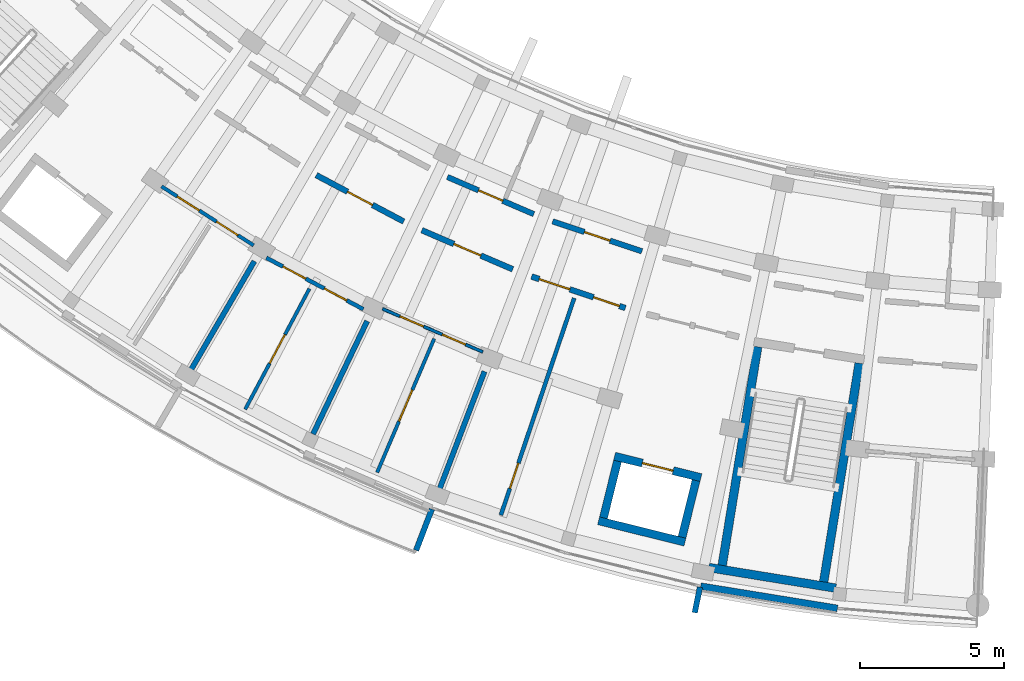
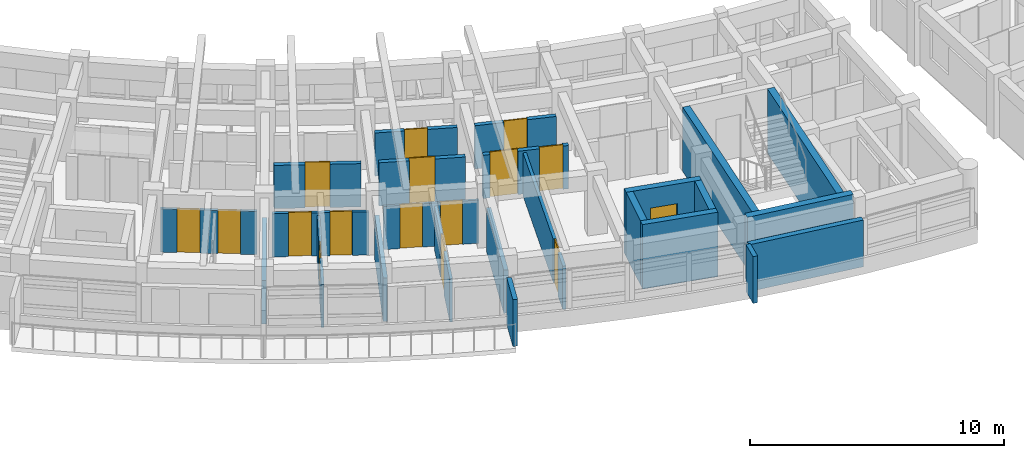
# One storey, part 34 of 55: 24 walls, 16 doors, 16 openings.
"""IFC4 building model written with IfcOpenShell, lengths in metres."""

from ifc_helpers import new_model, si_unit, direction, frame, frame_2d, origin, place, context, subcontext, project, spatial, rectangle, extrude, material, layer, layer_set, type_object, element, fill, save


model = new_model("IFC4")

# Units and contexts
model_context = context("Model", 3, precision=1e-05, world=origin(), true_north=direction((0.0, 1.0)))
body_context = subcontext(model_context, "Body", "Model", "MODEL_VIEW")
ifc_project = project(units=[si_unit("LENGTHUNIT", "METRE"), si_unit("AREAUNIT", "SQUARE_METRE"), si_unit("VOLUMEUNIT", "CUBIC_METRE"), si_unit("PLANEANGLEUNIT", "RADIAN"), si_unit("MASSUNIT", "GRAM", prefix="KILO")], contexts=[model_context])

# Site, building, storey
site_placement = place(None, origin())
site = spatial("IfcSite", under=ifc_project, at=site_placement, CompositionType="ELEMENT")
building_placement = place(site_placement, origin())
building = spatial("IfcBuilding", under=site, at=building_placement, Name="Zimvara Arc Housing Community", CompositionType="ELEMENT")
storey_placement = place(building_placement, frame((0.0, 0.0, 14.300048828125)))
storey = spatial("IfcBuildingStorey", under=building, at=storey_placement, Name="L04", CompositionType="ELEMENT", Elevation=14.300048828125)

# Walls
ifc_material_1 = material(Name="Board-Marked Fair-Faced Concrete C35/45", Category="concrete")
ifc_layer_1 = layer(ifc_material_1, 0.195068359375)
ifc_layer_set_1 = layer_set([ifc_layer_1], Name="Board-Marked Fair-Faced Concrete C35/45")
wall_type_1 = type_object("IfcWallType", Name="EWL-PARA-195", PredefinedType="PARAPET", material=ifc_layer_set_1)
wall_1_placement = place(storey_placement, frame((104.76318359375, 54.35693359375, 0.0), z_axis=(0.0, 0.0, 1.0), x_axis=(-0.356957296461, -0.934120703391, 0.0)))
element("IfcWall", 1, at=wall_1_placement, inside=storey, type_object=wall_type_1, Name="finwall:blkC:L04:out:b6", PredefinedType="PARAPET", context=body_context, shape_type="SweptSolid", body=[
    extrude(rectangle(XDim=1.530029296875, YDim=0.195068359375, at=frame_2d((0.76513671875, 0.0))), origin(), (0.0, 0.0, 1.0), 2.25),
])
wall_2_placement = place(storey_placement, frame((114.072509765625, 51.645263671875, 0.0), z_axis=(0.0, 0.0, 1.0), x_axis=(-0.200236425943, -0.979747607155, 0.0)))
element("IfcWall", 2, at=wall_2_placement, inside=storey, type_object=wall_type_1, Name="finwall:blkC:L04:out:b8", PredefinedType="PARAPET", context=body_context, shape_type="SweptSolid", body=[
    extrude(rectangle(XDim=0.89990234375, YDim=0.195068359375, at=frame_2d((0.449951171875, 0.0))), origin(), (0.0, 0.0, 1.0), 2.25),
])
ifc_material_2 = material(Name="Board-Marked Fair-Faced Concrete C35/45", Category="concrete")
ifc_layer_2 = layer(ifc_material_2, 0.238037109375)
ifc_layer_set_2 = layer_set([ifc_layer_2], Name="Board-Marked Fair-Faced Concrete C35/45")
wall_type_2 = type_object("IfcWallType", Name="EWL-VAR-15", PredefinedType="SOLIDWALL", material=ifc_layer_set_2)
wall_3_placement = place(storey_placement, frame((114.100341796875, 51.681396484375, 0.0), z_axis=(0.0, 0.0, 1.0), x_axis=(0.987080750493, -0.160223568819, 0.0)))
element("IfcWall", 3, at=wall_3_placement, inside=storey, type_object=wall_type_2, Name="ewall:blkC:L04:out:b8", PredefinedType="SOLIDWALL", context=body_context, shape_type="SweptSolid", body=[
    extrude(rectangle(XDim=4.808837890625, YDim=0.238037109375, at=frame_2d((2.404296875, 0.0))), origin(), (0.0, 0.0, 1.0), 2.25),
])

# Wall, opening, door
ifc_material_3 = material(Name="Concrete C35/45", Category="concrete")
ifc_layer_3 = layer(ifc_material_3, 0.18994140625)
ifc_layer_set_3 = layer_set([ifc_layer_3], Name="Concrete C35/45")
wall_type_3 = type_object("IfcWallType", Name="IWL-CORR-190", PredefinedType="SOLIDWALL", material=ifc_layer_set_3)
wall_4_placement = place(storey_placement, frame((105.30224609375, 65.892822265625, 0.0), z_axis=(0.0, 0.0, 1.0), x_axis=(0.918723391052, -0.394901672235, 0.0)))
wall_4 = element("IfcWall", 4, at=wall_4_placement, inside=storey, type_object=wall_type_3, Name="iwall:blkC:L04:corr_in:b5", PredefinedType="SOLIDWALL", context=body_context, shape_type="SweptSolid", body=[
    extrude(rectangle(XDim=3.2685546875, YDim=0.18994140625, at=frame_2d((1.63427734375, 0.0))), origin(), (0.0, 0.0, 1.0), 2.079833984375),
])
opening_1_placement = place(wall_4_placement, frame((1.17431640625, 0.0, 0.0)))
opening_1 = element("IfcOpeningElement", 5, at=opening_1_placement, cuts=wall_4, Name="Opening D02", PredefinedType="OPENING", context=body_context, shape_type="SweptSolid", body=[
    extrude(rectangle(XDim=0.919921875, YDim=2.10009765625, at=frame_2d((0.4599609375, 1.050048828125))), frame((0.0, 0.10498046875, 0.0), z_axis=(0.0, -1.0, 0.0), x_axis=(1.0, 0.0, 0.0)), (0.0, 0.0, 1.0), 0.2099609375),
])
ifc_material_4 = material(Name="Mozambican Hardwood", Category="wood")
door_type_1 = type_object("IfcDoorType", Name="IDR-RM-0920x2100", OperationType="NOTDEFINED", PredefinedType="DOOR", material=ifc_material_4)
door_1_placement = place(opening_1_placement, origin())
door_1 = element("IfcDoor", 6, at=door_1_placement, inside=storey, type_object=door_type_1, Name="idoor:blkC:L04:in_rm:b5", OperationType="SINGLE_SWING_RIGHT", OverallHeight=2.10009765625, OverallWidth=0.919921875, PredefinedType="DOOR", context=body_context, shape_type="SweptSolid", body=[
    extrude(rectangle(XDim=0.919921875, YDim=2.10009765625, at=frame_2d((0.4599609375, 1.050048828125))), frame((0.0, 0.02490234375, 0.0), z_axis=(0.0, -1.0, 0.0), x_axis=(1.0, 0.0, 0.0)), (0.0, 0.0, 1.0), 0.050048828125),
])
fill(opening_1, door_1)

wall_5_placement = place(storey_placement, frame((108.95849609375, 64.352294921875, 0.0), z_axis=(0.0, 0.0, 1.0), x_axis=(0.94787351033, -0.318646839643, 0.0)))
wall_5 = element("IfcWall", 7, at=wall_5_placement, inside=storey, type_object=wall_type_3, Name="iwall:blkC:L04:corr_in:b6", PredefinedType="SOLIDWALL", context=body_context, shape_type="SweptSolid", body=[
    extrude(rectangle(XDim=3.2685546875, YDim=0.18994140625, at=frame_2d((1.63427734375, 0.0))), origin(), (0.0, 0.0, 1.0), 2.079833984375),
])
opening_2_placement = place(wall_5_placement, frame((1.164306640625, 0.0, 0.0)))
opening_2 = element("IfcOpeningElement", 8, at=opening_2_placement, cuts=wall_5, Name="Opening D03", PredefinedType="OPENING", context=body_context, shape_type="SweptSolid", body=[
    extrude(rectangle(XDim=0.93994140625, YDim=2.10009765625, at=frame_2d((0.469970703125, 1.050048828125))), frame((0.0, 0.10498046875, 0.0), z_axis=(0.0, -1.0, 0.0), x_axis=(1.0, 0.0, 0.0)), (0.0, 0.0, 1.0), 0.2099609375),
])
ifc_material_5 = material(Name="Mozambican Hardwood", Category="wood")
door_type_2 = type_object("IfcDoorType", Name="IDR-RM-0940x2100", OperationType="NOTDEFINED", PredefinedType="DOOR", material=ifc_material_5)
door_2_placement = place(opening_2_placement, origin())
door_2 = element("IfcDoor", 9, at=door_2_placement, inside=storey, type_object=door_type_2, Name="idoor:blkC:L04:in_rm:b6", OperationType="SINGLE_SWING_LEFT", OverallHeight=2.10009765625, OverallWidth=0.93994140625, PredefinedType="DOOR", context=body_context, shape_type="SweptSolid", body=[
    extrude(rectangle(XDim=0.93994140625, YDim=2.10009765625, at=frame_2d((0.469970703125, 1.050048828125))), frame((0.0, 0.02490234375, 0.0), z_axis=(0.0, -1.0, 0.0), x_axis=(1.0, 0.0, 0.0)), (0.0, 0.0, 1.0), 0.050048828125),
])
fill(opening_2, door_2)

ifc_material_6 = material(Name="Concrete C35/45", Category="concrete")
ifc_layer_4 = layer(ifc_material_6, 0.199951171875)
ifc_layer_set_4 = layer_set([ifc_layer_4], Name="Concrete C35/45")
wall_type_4 = type_object("IfcWallType", Name="IWL-CORR-200", PredefinedType="SOLIDWALL", material=ifc_layer_set_4)
wall_6_placement = place(storey_placement, frame((100.750244140625, 65.9560546875, 0.0), z_axis=(0.0, 0.0, 1.0), x_axis=(0.883440266101, -0.468543803963, 0.0)))
wall_6 = element("IfcWall", 10, at=wall_6_placement, inside=storey, type_object=wall_type_4, Name="iwall:blkC:L04:corr_out:b4", PredefinedType="SOLIDWALL", context=body_context, shape_type="SweptSolid", body=[
    extrude(rectangle(XDim=3.435791015625, YDim=0.199951171875, at=frame_2d((1.7177734375, 0.0))), origin(), (0.0, 0.0, 1.0), 2.079833984375),
])
opening_3_placement = place(wall_6_placement, frame((1.22802734375, 0.0, 0.0)))
opening_3 = element("IfcOpeningElement", 11, at=opening_3_placement, cuts=wall_6, Name="Opening FD-FL1", PredefinedType="OPENING", context=body_context, shape_type="SweptSolid", body=[
    extrude(rectangle(XDim=0.97998046875, YDim=2.14990234375, at=frame_2d((0.489990234375, 1.074951171875))), frame((0.0, 0.10986328125, 0.0), z_axis=(0.0, -1.0, 0.0), x_axis=(1.0, 0.0, 0.0)), (0.0, 0.0, 1.0), 0.219970703125),
])
ifc_material_7 = material(Name="Mozambican Hardwood", Category="wood")
door_type_3 = type_object("IfcDoorType", Name="IDR-FLAT-0980x2150", OperationType="NOTDEFINED", PredefinedType="DOOR", material=ifc_material_7)
door_3_placement = place(opening_3_placement, origin())
door_3 = element("IfcDoor", 12, at=door_3_placement, inside=storey, type_object=door_type_3, Name="idoor:blkC:L04:flat:b4", OperationType="SINGLE_SWING_RIGHT", OverallHeight=2.14990234375, OverallWidth=0.97998046875, PredefinedType="DOOR", context=body_context, shape_type="SweptSolid", body=[
    extrude(rectangle(XDim=0.97998046875, YDim=2.14990234375, at=frame_2d((0.489990234375, 1.074951171875))), frame((0.0, 0.02490234375, 0.0), z_axis=(0.0, -1.0, 0.0), x_axis=(1.0, 0.0, 0.0)), (0.0, 0.0, 1.0), 0.050048828125),
])
fill(opening_3, door_3)

wall_7_placement = place(storey_placement, frame((104.41650390625, 64.0439453125, 0.0), z_axis=(0.0, 0.0, 1.0), x_axis=(0.918718172399, -0.394913813008, 0.0)))
wall_7 = element("IfcWall", 13, at=wall_7_placement, inside=storey, type_object=wall_type_4, Name="iwall:blkC:L04:corr_out:b5", PredefinedType="SOLIDWALL", context=body_context, shape_type="SweptSolid", body=[
    extrude(rectangle(XDim=3.43603515625, YDim=0.199951171875, at=frame_2d((1.718017578125, 0.0))), origin(), (0.0, 0.0, 1.0), 2.079833984375),
])
opening_4_placement = place(wall_7_placement, frame((1.2080078125, 0.0, 0.0)))
opening_4 = element("IfcOpeningElement", 14, at=opening_4_placement, cuts=wall_7, Name="Opening FD-FL2", PredefinedType="OPENING", context=body_context, shape_type="SweptSolid", body=[
    extrude(rectangle(XDim=1.02001953125, YDim=2.14990234375, at=frame_2d((0.510009765625, 1.074951171875))), frame((0.0, 0.10986328125, 0.0), z_axis=(0.0, -1.0, 0.0), x_axis=(1.0, 0.0, 0.0)), (0.0, 0.0, 1.0), 0.219970703125),
])
ifc_material_8 = material(Name="Mozambican Hardwood", Category="wood")
door_type_4 = type_object("IfcDoorType", Name="IDR-FLAT-1020x2150", OperationType="NOTDEFINED", PredefinedType="DOOR", material=ifc_material_8)
door_4_placement = place(opening_4_placement, origin())
door_4 = element("IfcDoor", 15, at=door_4_placement, inside=storey, type_object=door_type_4, Name="idoor:blkC:L04:flat:b5", OperationType="SINGLE_SWING_LEFT", OverallHeight=2.14990234375, OverallWidth=1.02001953125, PredefinedType="DOOR", context=body_context, shape_type="SweptSolid", body=[
    extrude(rectangle(XDim=1.02001953125, YDim=2.14990234375, at=frame_2d((0.510009765625, 1.074951171875))), frame((0.0, 0.02490234375, 0.0), z_axis=(0.0, -1.0, 0.0), x_axis=(1.0, 0.0, 0.0)), (0.0, 0.0, 1.0), 0.050048828125),
])
fill(opening_4, door_4)

# Wall, openings, doors
wall_8_placement = place(storey_placement, frame((108.2265625, 62.437255859375, 0.0), z_axis=(0.0, 0.0, 1.0), x_axis=(0.947884468821, -0.318614239745, 0.0)))
wall_8 = element("IfcWall", 16, at=wall_8_placement, inside=storey, type_object=wall_type_4, Name="iwall:blkC:L04:corr_out:b6", PredefinedType="SOLIDWALL", context=body_context, shape_type="SweptSolid", body=[
    extrude(rectangle(XDim=3.435791015625, YDim=0.199951171875, at=frame_2d((1.7177734375, 0.0))), origin(), (0.0, 0.0, 1.0), 2.079833984375),
])
opening_5_placement = place(wall_8_placement, frame((0.280029296875, 0.0, 0.0)))
opening_5 = element("IfcOpeningElement", 17, at=opening_5_placement, cuts=wall_8, Name="Opening D07", PredefinedType="OPENING", context=body_context, shape_type="SweptSolid", body=[
    extrude(rectangle(XDim=1.1201171875, YDim=2.14990234375, at=frame_2d((0.56005859375, 1.074951171875))), frame((0.0, 0.10986328125, 0.0), z_axis=(0.0, -1.0, 0.0), x_axis=(1.0, 0.0, 0.0)), (0.0, 0.0, 1.0), 0.219970703125),
])
opening_6_placement = place(wall_8_placement, frame((2.26611328125, 0.0, 0.0)))
opening_6 = element("IfcOpeningElement", 18, at=opening_6_placement, cuts=wall_8, Name="Opening D06", PredefinedType="OPENING", context=body_context, shape_type="SweptSolid", body=[
    extrude(rectangle(XDim=0.949951171875, YDim=2.10009765625, at=frame_2d((0.47509765625, 1.050048828125))), frame((0.0, 0.10986328125, 0.0), z_axis=(0.0, -1.0, 0.0), x_axis=(1.0, 0.0, 0.0)), (0.0, 0.0, 1.0), 0.219970703125),
])
ifc_material_9 = material(Name="Mozambican Hardwood", Category="wood")
door_type_5 = type_object("IfcDoorType", Name="IDR-AMN-1120x2150", OperationType="NOTDEFINED", PredefinedType="DOOR", material=ifc_material_9)
door_5_placement = place(opening_5_placement, origin())
door_5 = element("IfcDoor", 19, at=door_5_placement, inside=storey, type_object=door_type_5, Name="idoor:blkC:L04:amen:b6", OperationType="SINGLE_SWING_LEFT", OverallHeight=2.14990234375, OverallWidth=1.1201171875, PredefinedType="DOOR", context=body_context, shape_type="SweptSolid", body=[
    extrude(rectangle(XDim=1.1201171875, YDim=2.14990234375, at=frame_2d((0.56005859375, 1.074951171875))), frame((0.0, 0.02490234375, 0.0), z_axis=(0.0, -1.0, 0.0), x_axis=(1.0, 0.0, 0.0)), (0.0, 0.0, 1.0), 0.050048828125),
])
fill(opening_5, door_5)
ifc_material_10 = material(Name="Mozambican Hardwood", Category="wood")
door_type_6 = type_object("IfcDoorType", Name="IDR-AWC-0950x2100", OperationType="NOTDEFINED", PredefinedType="DOOR", material=ifc_material_10)
door_6_placement = place(opening_6_placement, origin())
door_6 = element("IfcDoor", 20, at=door_6_placement, inside=storey, type_object=door_type_6, Name="idoor:blkC:L04:cawc:b6", OperationType="SINGLE_SWING_RIGHT", OverallHeight=2.10009765625, OverallWidth=0.949951171875, PredefinedType="DOOR", context=body_context, shape_type="SweptSolid", body=[
    extrude(rectangle(XDim=0.949951171875, YDim=2.10009765625, at=frame_2d((0.47509765625, 1.050048828125))), frame((0.0, 0.02490234375, 0.0), z_axis=(0.0, -1.0, 0.0), x_axis=(1.0, 0.0, 0.0)), (0.0, 0.0, 1.0), 0.050048828125),
])
fill(opening_6, door_6)

# Walls
ifc_material_11 = material(Name="Concrete C35/45", Category="concrete")
ifc_layer_5 = layer(ifc_material_11, 0.18505859375)
ifc_layer_set_5 = layer_set([ifc_layer_5], Name="Concrete C35/45")
wall_type_5 = type_object("IfcWallType", Name="IWL-FLAT-185", PredefinedType="SOLIDWALL", material=ifc_layer_set_5)
wall_9_placement = place(storey_placement, frame((98.6005859375, 62.968017578125, 0.0), z_axis=(0.0, 0.0, 1.0), x_axis=(-0.504216452091, -0.863577309475, 0.0)))
element("IfcWall", 21, at=wall_9_placement, inside=storey, type_object=wall_type_5, Name="iwall:blkC:L04:party:b4", PredefinedType="SOLIDWALL", context=body_context, shape_type="SweptSolid", body=[
    extrude(rectangle(XDim=4.35009765625, YDim=0.18505859375, at=frame_2d((2.175048828125, 0.0))), origin(), (0.0, 0.0, 1.0), 2.079833984375),
])
wall_10_placement = place(storey_placement, frame((102.517822265625, 60.890380859375, 0.0), z_axis=(0.0, 0.0, 1.0), x_axis=(-0.432108769108, -0.901821496561, 0.0)))
element("IfcWall", 22, at=wall_10_placement, inside=storey, type_object=wall_type_5, Name="iwall:blkC:L04:party:b5", PredefinedType="SOLIDWALL", context=body_context, shape_type="SweptSolid", body=[
    extrude(rectangle(XDim=4.349853515625, YDim=0.18505859375, at=frame_2d((2.1748046875, 0.0))), origin(), (0.0, 0.0, 1.0), 2.079833984375),
])
wall_11_placement = place(storey_placement, frame((106.59130859375, 59.139404296875, 0.0), z_axis=(0.0, 0.0, 1.0), x_axis=(-0.357064016205, -0.934079915388, 0.0)))
element("IfcWall", 23, at=wall_11_placement, inside=storey, type_object=wall_type_5, Name="iwall:blkC:L04:party:b6", PredefinedType="SOLIDWALL", context=body_context, shape_type="SweptSolid", body=[
    extrude(rectangle(XDim=4.35009765625, YDim=0.18505859375, at=frame_2d((2.175048828125, 0.0))), origin(), (0.0, 0.0, 1.0), 2.079833984375),
])

# Wall, openings, doors
ifc_material_12 = material(Name="Painted Acoustic Plasterboard")
ifc_layer_6 = layer(ifc_material_12, 0.10009765625)
ifc_layer_set_6 = layer_set([ifc_layer_6], Name="Painted Acoustic Plasterboard")
wall_type_6 = type_object("IfcWallType", Name="IWL-PART-100", PredefinedType="PARTITIONING", material=ifc_layer_set_6)
wall_12_placement = place(storey_placement, frame((103.052490234375, 61.313232421875, 0.0), z_axis=(0.0, 0.0, 1.0), x_axis=(0.918714121981, -0.39492323567, 0.0)))
wall_12 = element("IfcWall", 24, at=wall_12_placement, inside=storey, type_object=wall_type_6, Name="iwall:blkC:L04:srv:b5", PredefinedType="PARTITIONING", context=body_context, shape_type="SweptSolid", body=[
    extrude(rectangle(XDim=3.78515625, YDim=0.10009765625, at=frame_2d((1.892578125, 0.0))), origin(), (0.0, 0.0, 1.0), 2.079833984375),
])
opening_7_placement = place(wall_12_placement, frame((0.64990234375, 0.0, 0.0)))
opening_7 = element("IfcOpeningElement", 25, at=opening_7_placement, cuts=wall_12, Name="Opening D01", PredefinedType="OPENING", context=body_context, shape_type="SweptSolid", body=[
    extrude(rectangle(XDim=0.89990234375, YDim=2.10009765625, at=frame_2d((0.449951171875, 1.050048828125))), frame((0.0, 0.06005859375, 0.0), z_axis=(0.0, -1.0, 0.0), x_axis=(1.0, 0.0, 0.0)), (0.0, 0.0, 1.0), 0.1201171875),
])
opening_8_placement = place(wall_12_placement, frame((2.255126953125, 0.0, 0.0)))
opening_8 = element("IfcOpeningElement", 26, at=opening_8_placement, cuts=wall_12, Name="Opening D05", PredefinedType="OPENING", context=body_context, shape_type="SweptSolid", body=[
    extrude(rectangle(XDim=0.8798828125, YDim=2.10009765625, at=frame_2d((0.43994140625, 1.050048828125))), frame((0.0, 0.06005859375, 0.0), z_axis=(0.0, -1.0, 0.0), x_axis=(1.0, 0.0, 0.0)), (0.0, 0.0, 1.0), 0.1201171875),
])
ifc_material_13 = material(Name="Mozambican Hardwood", Category="wood")
door_type_7 = type_object("IfcDoorType", Name="IDR-RM-0900x2100", OperationType="NOTDEFINED", PredefinedType="DOOR", material=ifc_material_13)
door_7_placement = place(opening_7_placement, origin())
door_7 = element("IfcDoor", 27, at=door_7_placement, inside=storey, type_object=door_type_7, Name="idoor:blkC:L04:kit_liv:b5", OperationType="SINGLE_SWING_RIGHT", OverallHeight=2.10009765625, OverallWidth=0.89990234375, PredefinedType="DOOR", context=body_context, shape_type="SweptSolid", body=[
    extrude(rectangle(XDim=0.89990234375, YDim=2.10009765625, at=frame_2d((0.449951171875, 1.050048828125))), frame((0.0, 0.02490234375, 0.0), z_axis=(0.0, -1.0, 0.0), x_axis=(1.0, 0.0, 0.0)), (0.0, 0.0, 1.0), 0.050048828125),
])
fill(opening_7, door_7)
ifc_material_14 = material(Name="Mozambican Hardwood", Category="wood")
door_type_8 = type_object("IfcDoorType", Name="IDR-WC-0880x2100", OperationType="NOTDEFINED", PredefinedType="DOOR", material=ifc_material_14)
door_8_placement = place(opening_8_placement, origin())
door_8 = element("IfcDoor", 28, at=door_8_placement, inside=storey, type_object=door_type_8, Name="idoor:blkC:L04:bath_d:b5", OperationType="SINGLE_SWING_LEFT", OverallHeight=2.10009765625, OverallWidth=0.8798828125, PredefinedType="DOOR", context=body_context, shape_type="SweptSolid", body=[
    extrude(rectangle(XDim=0.8798828125, YDim=2.10009765625, at=frame_2d((0.43994140625, 1.050048828125))), frame((0.0, 0.02490234375, 0.0), z_axis=(0.0, -1.0, 0.0), x_axis=(1.0, 0.0, 0.0)), (0.0, 0.0, 1.0), 0.050048828125),
])
fill(opening_8, door_8)

# Wall, opening, door
ifc_material_15 = material(Name="Painted Acoustic Plasterboard")
ifc_layer_7 = layer(ifc_material_15, 0.1201171875)
ifc_layer_set_7 = layer_set([ifc_layer_7], Name="Painted Acoustic Plasterboard")
wall_type_7 = type_object("IfcWallType", Name="IWL-PART-120", PredefinedType="PARTITIONING", material=ifc_layer_set_7)
wall_13_placement = place(storey_placement, frame((100.5126953125, 62.015869140625, 0.0), z_axis=(0.0, 0.0, 1.0), x_axis=(-0.469889133168, -0.882725440061, 0.0)))
wall_13 = element("IfcWall", 29, at=wall_13_placement, inside=storey, type_object=wall_type_7, Name="iwall:blkC:L04:bed_div:b4", PredefinedType="PARTITIONING", context=body_context, shape_type="SweptSolid", body=[
    extrude(rectangle(XDim=4.75, YDim=0.1201171875, at=frame_2d((2.375, 0.0))), origin(), (0.0, 0.0, 1.0), 2.079833984375),
])
opening_9_placement = place(wall_13_placement, frame((1.81005859375, 0.0, 0.0)))
opening_9 = element("IfcOpeningElement", 30, at=opening_9_placement, cuts=wall_13, Name="Opening D17", PredefinedType="OPENING", context=body_context, shape_type="SweptSolid", body=[
    extrude(rectangle(XDim=1.1298828125, YDim=2.10009765625, at=frame_2d((0.56494140625, 1.050048828125))), frame((0.0, 0.070068359375, 0.0), z_axis=(0.0, -1.0, 0.0), x_axis=(1.0, 0.0, 0.0)), (0.0, 0.0, 1.0), 0.14013671875),
])
ifc_material_16 = material(Name="Mozambican Hardwood", Category="wood")
door_type_9 = type_object("IfcDoorType", Name="IDR-MOD-1130x2240", OperationType="NOTDEFINED", PredefinedType="DOOR", material=ifc_material_16)
door_9_placement = place(opening_9_placement, origin())
door_9 = element("IfcDoor", 31, at=door_9_placement, inside=storey, type_object=door_type_9, Name="idoor:blkC:L04:bed_d:b4", OperationType="SINGLE_SWING_RIGHT", OverallHeight=2.10009765625, OverallWidth=1.1298828125, PredefinedType="DOOR", context=body_context, shape_type="SweptSolid", body=[
    extrude(rectangle(XDim=1.1298828125, YDim=2.10009765625, at=frame_2d((0.56494140625, 1.050048828125))), frame((0.0, 0.02490234375, 0.0), z_axis=(0.0, -1.0, 0.0), x_axis=(1.0, 0.0, 0.0)), (0.0, 0.0, 1.0), 0.050048828125),
])
fill(opening_9, door_9)

wall_14_placement = place(storey_placement, frame((104.843994140625, 60.27685546875, 0.0), z_axis=(0.0, 0.0, 1.0), x_axis=(-0.392127280422, -0.919910971751, 0.0)))
wall_14 = element("IfcWall", 32, at=wall_14_placement, inside=storey, type_object=wall_type_7, Name="iwall:blkC:L04:bed_div:b5", PredefinedType="PARTITIONING", context=body_context, shape_type="SweptSolid", body=[
    extrude(rectangle(XDim=5.050048828125, YDim=0.1201171875, at=frame_2d((2.52490234375, 0.0))), origin(), (0.0, 0.0, 1.0), 2.079833984375),
])
opening_10_placement = place(wall_14_placement, frame((1.93505859375, 0.0, 0.0)))
opening_10 = element("IfcOpeningElement", 33, at=opening_10_placement, cuts=wall_14, Name="Opening D18", PredefinedType="OPENING", context=body_context, shape_type="SweptSolid", body=[
    extrude(rectangle(XDim=1.179931640625, YDim=2.10009765625, at=frame_2d((0.58984375, 1.050048828125))), frame((0.0, 0.070068359375, 0.0), z_axis=(0.0, -1.0, 0.0), x_axis=(1.0, 0.0, 0.0)), (0.0, 0.0, 1.0), 0.14013671875),
])
ifc_material_17 = material(Name="Mozambican Hardwood", Category="wood")
door_type_10 = type_object("IfcDoorType", Name="IDR-MOD-1180x2120", OperationType="NOTDEFINED", PredefinedType="DOOR", material=ifc_material_17)
door_10_placement = place(opening_10_placement, origin())
door_10 = element("IfcDoor", 34, at=door_10_placement, inside=storey, type_object=door_type_10, Name="idoor:blkC:L04:bed_d:b5", OperationType="SINGLE_SWING_RIGHT", OverallHeight=2.10009765625, OverallWidth=1.179931640625, PredefinedType="DOOR", context=body_context, shape_type="SweptSolid", body=[
    extrude(rectangle(XDim=1.179931640625, YDim=2.10009765625, at=frame_2d((0.58984375, 1.050048828125))), frame((0.0, 0.02490234375, 0.0), z_axis=(0.0, -1.0, 0.0), x_axis=(1.0, 0.0, 0.0)), (0.0, 0.0, 1.0), 0.050048828125),
])
fill(opening_10, door_10)

# Wall, openings, doors
ifc_material_18 = material(Name="Painted Acoustic Plasterboard")
ifc_layer_8 = layer(ifc_material_18, 0.125)
ifc_layer_set_8 = layer_set([ifc_layer_8], Name="Painted Acoustic Plasterboard")
wall_type_8 = type_object("IfcWallType", Name="IWL-PART-125", PredefinedType="PARTITIONING", material=ifc_layer_set_8)
wall_15_placement = place(storey_placement, frame((95.37646484375, 65.5654296875, 0.0), z_axis=(0.0, 0.0, 1.0), x_axis=(0.842242208372, -0.539099306656, 0.0)))
wall_15 = element("IfcWall", 35, at=wall_15_placement, inside=storey, type_object=wall_type_8, Name="iwall:blkC:L04:srv:b3", PredefinedType="PARTITIONING", context=body_context, shape_type="SweptSolid", body=[
    extrude(rectangle(XDim=3.79736328125, YDim=0.125, at=frame_2d((1.898681640625, 0.0))), origin(), (0.0, 0.0, 1.0), 2.079833984375),
])
opening_11_placement = place(wall_15_placement, frame((0.64990234375, 0.0, 0.0)))
opening_11 = element("IfcOpeningElement", 36, at=opening_11_placement, cuts=wall_15, Name="Opening D01", PredefinedType="OPENING", context=body_context, shape_type="SweptSolid", body=[
    extrude(rectangle(XDim=0.89990234375, YDim=2.10009765625, at=frame_2d((0.449951171875, 1.050048828125))), frame((0.0, 0.072509765625, 0.0), z_axis=(0.0, -1.0, 0.0), x_axis=(1.0, 0.0, 0.0)), (0.0, 0.0, 1.0), 0.14501953125),
])
opening_12_placement = place(wall_15_placement, frame((2.267333984375, 0.0, 0.0)))
opening_12 = element("IfcOpeningElement", 37, at=opening_12_placement, cuts=wall_15, Name="Opening D05", PredefinedType="OPENING", context=body_context, shape_type="SweptSolid", body=[
    extrude(rectangle(XDim=0.8798828125, YDim=2.10009765625, at=frame_2d((0.43994140625, 1.050048828125))), frame((0.0, 0.072509765625, 0.0), z_axis=(0.0, -1.0, 0.0), x_axis=(1.0, 0.0, 0.0)), (0.0, 0.0, 1.0), 0.14501953125),
])
door_11_placement = place(opening_11_placement, origin())
door_11 = element("IfcDoor", 38, at=door_11_placement, inside=storey, type_object=door_type_7, Name="idoor:blkC:L04:kit_liv:b3", OperationType="SINGLE_SWING_LEFT", OverallHeight=2.10009765625, OverallWidth=0.89990234375, PredefinedType="DOOR", context=body_context, shape_type="SweptSolid", body=[
    extrude(rectangle(XDim=0.89990234375, YDim=2.10009765625, at=frame_2d((0.449951171875, 1.050048828125))), frame((0.0, 0.02490234375, 0.0), z_axis=(0.0, -1.0, 0.0), x_axis=(1.0, 0.0, 0.0)), (0.0, 0.0, 1.0), 0.050048828125),
])
fill(opening_11, door_11)
door_12_placement = place(opening_12_placement, origin())
door_12 = element("IfcDoor", 39, at=door_12_placement, inside=storey, type_object=door_type_8, Name="idoor:blkC:L04:bath_d:b3", OperationType="SINGLE_SWING_RIGHT", OverallHeight=2.10009765625, OverallWidth=0.8798828125, PredefinedType="DOOR", context=body_context, shape_type="SweptSolid", body=[
    extrude(rectangle(XDim=0.8798828125, YDim=2.10009765625, at=frame_2d((0.43994140625, 1.050048828125))), frame((0.0, 0.02490234375, 0.0), z_axis=(0.0, -1.0, 0.0), x_axis=(1.0, 0.0, 0.0)), (0.0, 0.0, 1.0), 0.050048828125),
])
fill(opening_12, door_12)

ifc_material_19 = material(Name="Painted Acoustic Plasterboard")
ifc_layer_9 = layer(ifc_material_19, 0.139892578125)
ifc_layer_set_9 = layer_set([ifc_layer_9], Name="Painted Acoustic Plasterboard")
wall_type_9 = type_object("IfcWallType", Name="IWL-PART-140", PredefinedType="PARTITIONING", material=ifc_layer_set_9)
wall_16_placement = place(storey_placement, frame((99.016845703125, 63.086669921875, 0.0), z_axis=(0.0, 0.0, 1.0), x_axis=(0.883415075746, -0.468591297342, 0.0)))
wall_16 = element("IfcWall", 40, at=wall_16_placement, inside=storey, type_object=wall_type_9, Name="iwall:blkC:L04:srv:b4", PredefinedType="PARTITIONING", context=body_context, shape_type="SweptSolid", body=[
    extrude(rectangle(XDim=3.8095703125, YDim=0.139892578125, at=frame_2d((1.90478515625, 0.0))), origin(), (0.0, 0.0, 1.0), 2.079833984375),
])
opening_13_placement = place(wall_16_placement, frame((0.64990234375, 0.0, 0.0)))
opening_13 = element("IfcOpeningElement", 41, at=opening_13_placement, cuts=wall_16, Name="Opening D01", PredefinedType="OPENING", context=body_context, shape_type="SweptSolid", body=[
    extrude(rectangle(XDim=0.89990234375, YDim=2.10009765625, at=frame_2d((0.449951171875, 1.050048828125))), frame((0.0, 0.079833984375, 0.0), z_axis=(0.0, -1.0, 0.0), x_axis=(1.0, 0.0, 0.0)), (0.0, 0.0, 1.0), 0.159912109375),
])
opening_14_placement = place(wall_16_placement, frame((2.279541015625, 0.0, 0.0)))
opening_14 = element("IfcOpeningElement", 42, at=opening_14_placement, cuts=wall_16, Name="Opening D05", PredefinedType="OPENING", context=body_context, shape_type="SweptSolid", body=[
    extrude(rectangle(XDim=0.8798828125, YDim=2.10009765625, at=frame_2d((0.43994140625, 1.050048828125))), frame((0.0, 0.079833984375, 0.0), z_axis=(0.0, -1.0, 0.0), x_axis=(1.0, 0.0, 0.0)), (0.0, 0.0, 1.0), 0.159912109375),
])
door_13_placement = place(opening_13_placement, origin())
door_13 = element("IfcDoor", 43, at=door_13_placement, inside=storey, type_object=door_type_7, Name="idoor:blkC:L04:kit_liv:b4", OperationType="SINGLE_SWING_RIGHT", OverallHeight=2.10009765625, OverallWidth=0.89990234375, PredefinedType="DOOR", context=body_context, shape_type="SweptSolid", body=[
    extrude(rectangle(XDim=0.89990234375, YDim=2.10009765625, at=frame_2d((0.449951171875, 1.050048828125))), frame((0.0, 0.02490234375, 0.0), z_axis=(0.0, -1.0, 0.0), x_axis=(1.0, 0.0, 0.0)), (0.0, 0.0, 1.0), 0.050048828125),
])
fill(opening_13, door_13)
door_14_placement = place(opening_14_placement, origin())
door_14 = element("IfcDoor", 44, at=door_14_placement, inside=storey, type_object=door_type_8, Name="idoor:blkC:L04:bath_d:b4", OperationType="SINGLE_SWING_LEFT", OverallHeight=2.10009765625, OverallWidth=0.8798828125, PredefinedType="DOOR", context=body_context, shape_type="SweptSolid", body=[
    extrude(rectangle(XDim=0.8798828125, YDim=2.10009765625, at=frame_2d((0.43994140625, 1.050048828125))), frame((0.0, 0.02490234375, 0.0), z_axis=(0.0, -1.0, 0.0), x_axis=(1.0, 0.0, 0.0)), (0.0, 0.0, 1.0), 0.050048828125),
])
fill(opening_14, door_14)

# Wall, opening, door
wall_17_placement = place(storey_placement, frame((109.705078125, 61.684814453125, 0.0), z_axis=(0.0, 0.0, 1.0), x_axis=(-0.320057771325, -0.947398027766, 0.0)))
wall_17 = element("IfcWall", 45, at=wall_17_placement, inside=storey, type_object=wall_type_9, Name="iwall:blkC:L04:amen_div:b6", PredefinedType="PARTITIONING", context=body_context, shape_type="SweptSolid", body=[
    extrude(rectangle(XDim=7.949951171875, YDim=0.139892578125, at=frame_2d((3.97509765625, 0.0))), origin(), (0.0, 0.0, 1.0), 2.079833984375),
])
opening_15_placement = place(wall_17_placement, frame((6.050048828125, 0.0, 0.0)))
opening_15 = element("IfcOpeningElement", 46, at=opening_15_placement, cuts=wall_17, Name="Opening D02", PredefinedType="OPENING", context=body_context, shape_type="SweptSolid", body=[
    extrude(rectangle(XDim=0.919921875, YDim=2.10009765625, at=frame_2d((0.4599609375, 1.050048828125))), frame((0.0, 0.079833984375, 0.0), z_axis=(0.0, -1.0, 0.0), x_axis=(1.0, 0.0, 0.0)), (0.0, 0.0, 1.0), 0.159912109375),
])
door_15_placement = place(opening_15_placement, origin())
door_15 = element("IfcDoor", 47, at=door_15_placement, inside=storey, type_object=door_type_1, Name="idoor:blkC:L04:laund_d:b6", OperationType="SINGLE_SWING_RIGHT", OverallHeight=2.10009765625, OverallWidth=0.919921875, PredefinedType="DOOR", context=body_context, shape_type="SweptSolid", body=[
    extrude(rectangle(XDim=0.919921875, YDim=2.10009765625, at=frame_2d((0.4599609375, 1.050048828125))), frame((0.0, 0.02490234375, 0.0), z_axis=(0.0, -1.0, 0.0), x_axis=(1.0, 0.0, 0.0)), (0.0, 0.0, 1.0), 0.050048828125),
])
fill(opening_15, door_15)

ifc_material_20 = material(Name="Concrete C40/50", Category="concrete")
ifc_layer_10 = layer(ifc_material_20, 0.280029296875)
ifc_layer_set_10 = layer_set([ifc_layer_10], Name="Concrete C40/50")
wall_type_10 = type_object("IfcWallType", Name="WL-CORE-280", PredefinedType="SHEAR", material=ifc_layer_set_10)
wall_18_placement = place(storey_placement, frame((111.10791015625, 56.1962890625, 0.0), z_axis=(0.0, 0.0, 1.0), x_axis=(0.970706856107, -0.240266933861, 0.0)))
wall_18 = element("IfcWall", 48, at=wall_18_placement, inside=storey, type_object=wall_type_10, Name="lwall:LP-C2:L04:front", PredefinedType="SHEAR", context=body_context, shape_type="SweptSolid", body=[
    extrude(rectangle(XDim=3.090087890625, YDim=0.280029296875, at=frame_2d((1.544921875, 0.0))), origin(), (0.0, 0.0, 1.0), 3.099853515625),
])
opening_16_placement = place(wall_18_placement, frame((0.9951171875, 0.0, 0.0)))
opening_16 = element("IfcOpeningElement", 49, at=opening_16_placement, cuts=wall_18, Name="Opening LD-LP-C2", PredefinedType="OPENING", context=body_context, shape_type="SweptSolid", body=[
    extrude(rectangle(XDim=1.10009765625, YDim=2.14990234375, at=frame_2d((0.550048828125, 1.074951171875))), frame((0.0, 0.14990234375, 0.0), z_axis=(0.0, -1.0, 0.0), x_axis=(1.0, 0.0, 0.0)), (0.0, 0.0, 1.0), 0.300048828125),
])
ifc_material_21 = material(Name="Anodised Aluminium AW-6063", Category="aluminium")
door_type_11 = type_object("IfcDoorType", Name="IDR-LD-1100x2150", OperationType="DOUBLE_DOOR_SLIDING", PredefinedType="DOOR", material=ifc_material_21)
door_16_placement = place(opening_16_placement, origin())
door_16 = element("IfcDoor", 50, at=door_16_placement, inside=storey, type_object=door_type_11, Name="Lift LP-C2 Sliding Landing Door L04", OperationType="DOUBLE_DOOR_SLIDING", OverallHeight=2.14990234375, OverallWidth=1.10009765625, PredefinedType="DOOR", context=body_context, shape_type="SweptSolid", body=[
    extrude(rectangle(XDim=1.10009765625, YDim=2.14990234375, at=frame_2d((0.550048828125, 1.074951171875))), frame((0.0, 0.02490234375, 0.0), z_axis=(0.0, -1.0, 0.0), x_axis=(1.0, 0.0, 0.0)), (0.0, 0.0, 1.0), 0.050048828125),
])
fill(opening_16, door_16)

# Walls
wall_19_placement = place(storey_placement, frame((110.552978515625, 53.953857421875, 0.0), z_axis=(0.0, 0.0, 1.0), x_axis=(0.970725280816, -0.240192483614, 0.0)))
element("IfcWall", 51, at=wall_19_placement, inside=storey, type_object=wall_type_10, Name="lwall:LP-C2:L04:back", PredefinedType="SHEAR", context=body_context, shape_type="SweptSolid", body=[
    extrude(rectangle(XDim=3.090087890625, YDim=0.280029296875, at=frame_2d((1.544921875, 0.0))), origin(), (0.0, 0.0, 1.0), 3.099853515625),
])
wall_20_placement = place(storey_placement, frame((111.210205078125, 56.026611328125, 0.0), z_axis=(0.0, 0.0, 1.0), x_axis=(-0.240186044774, -0.970726873995, 0.0)))
element("IfcWall", 52, at=wall_20_placement, inside=storey, type_object=wall_type_10, Name="lwall:LP-C2:L04:left", PredefinedType="SHEAR", context=body_context, shape_type="SweptSolid", body=[
    extrude(rectangle(XDim=2.02978515625, YDim=0.280029296875, at=frame_2d((1.014892578125, 0.0))), origin(), (0.0, 0.0, 1.0), 3.099853515625),
])
wall_21_placement = place(storey_placement, frame((113.93798828125, 55.3515625, 0.0), z_axis=(0.0, 0.0, 1.0), x_axis=(-0.2402993748, -0.970698825832, 0.0)))
element("IfcWall", 53, at=wall_21_placement, inside=storey, type_object=wall_type_10, Name="lwall:LP-C2:L04:right", PredefinedType="SHEAR", context=body_context, shape_type="SweptSolid", body=[
    extrude(rectangle(XDim=2.030029296875, YDim=0.280029296875, at=frame_2d((1.01513671875, 0.0))), origin(), (0.0, 0.0, 1.0), 3.099853515625),
])
ifc_material_22 = material(Name="Concrete C40/50", Category="concrete")
ifc_layer_11 = layer(ifc_material_22, 0.300048828125)
ifc_layer_set_11 = layer_set([ifc_layer_11], Name="Concrete C40/50")
wall_type_11 = type_object("IfcWallType", Name="WL-CORE-300", PredefinedType="SHEAR", material=ifc_layer_set_11)
wall_22_placement = place(storey_placement, frame((114.37744140625, 52.330810546875, 0.0), z_axis=(0.0, 0.0, 1.0), x_axis=(0.987077474317, -0.16024375088, 0.0)))
element("IfcWall", 54, at=wall_22_placement, inside=storey, type_object=wall_type_11, Name="cwall:ST-C2:L04:far", PredefinedType="SHEAR", context=body_context, shape_type="SweptSolid", body=[
    extrude(rectangle(XDim=4.47021484375, YDim=0.300048828125, at=frame_2d((2.235107421875, 0.0))), origin(), (0.0, 0.0, 1.0), 3.099853515625),
])
for number, where, z_axis, x_axis, name in (
    (55, (116.077880859375, 59.997314453125, 0.0), (0.0, 0.0, 1.0), (-0.160232517967, -0.987079297821, 0.0), "cwall:ST-C2:L04:left"),
    (56, (119.6015625, 59.42529296875, 0.0), (0.0, 0.0, 1.0), (-0.160201584773, -0.987084318706, 0.0), "cwall:ST-C2:L04:right"),
):
    element("IfcWall", number, at=place(storey_placement, frame(where, z_axis=z_axis, x_axis=x_axis)), inside=storey, type_object=wall_type_11, Name=name, PredefinedType="SHEAR", context=body_context, shape_type="SweptSolid", body=[
        extrude(rectangle(XDim=7.68994140625, YDim=0.300048828125, at=frame_2d((3.844970703125, 0.0))), origin(), (0.0, 0.0, 1.0), 3.099853515625),
    ])

save(model, "model.ifc")
